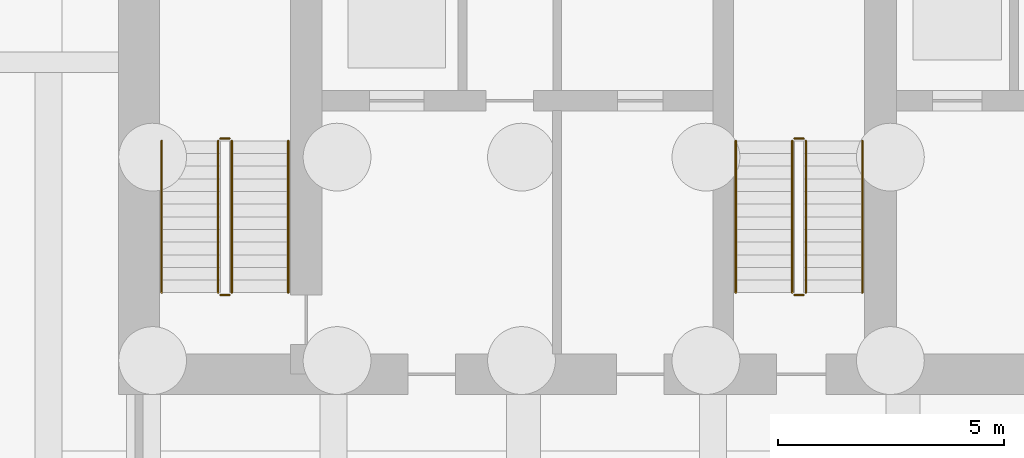
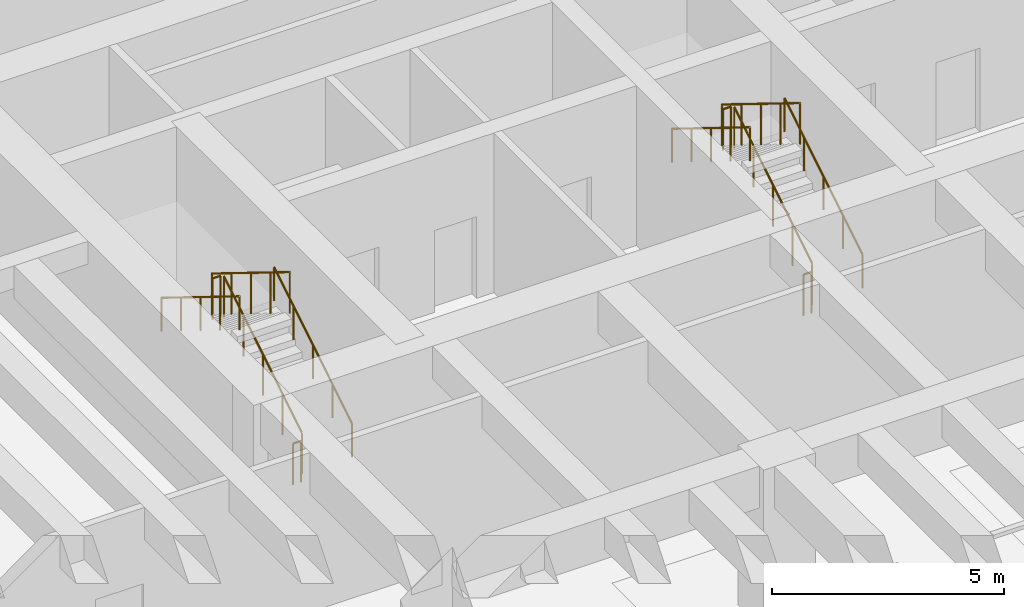
# One storey, part 8 of 10: 12 railings.
"""IFC4 building model written with IfcOpenShell, lengths in metres."""

from ifc_helpers import new_model, si_unit, direction, frame, origin, origin_2d, place, context, subcontext, project, spatial, circle, extrude, material, type_object, element, save


model = new_model("IFC4")

# Units and contexts
model_context = context("Model", 3, precision=1e-05, world=origin(), true_north=direction((0.0, 1.0)))
body_context = subcontext(model_context, "Body", "Model", "MODEL_VIEW")
ifc_project = project(units=[si_unit("LENGTHUNIT", "METRE"), si_unit("AREAUNIT", "SQUARE_METRE"), si_unit("VOLUMEUNIT", "CUBIC_METRE"), si_unit("PLANEANGLEUNIT", "RADIAN"), si_unit("MASSUNIT", "GRAM", prefix="KILO")], contexts=[model_context])

# Site, building, storey
site_placement = place(None, origin())
site = spatial("IfcSite", under=ifc_project, at=site_placement, CompositionType="ELEMENT")
building_placement = place(site_placement, origin())
building = spatial("IfcBuilding", under=site, at=building_placement, Name="Caelmar Bay Residences", CompositionType="ELEMENT")
storey_placement = place(building_placement, frame((0.0, 0.0, -9.0)))
storey = spatial("IfcBuildingStorey", under=building, at=storey_placement, Name="B02", CompositionType="ELEMENT", Elevation=-9.0)

# Railings
ifc_material_1 = material(Name="Painted galvanized steel stair guard 1100 mm", Category="steel")
railing_type_1 = type_object("IfcRailingType", Name="RL-GRD-1100", PredefinedType="GUARDRAIL", material=ifc_material_1)
railing_1_placement = place(storey_placement, frame((20.25, 38.699951171875, 0.173095703125)))
element("IfcRailing", 1, at=railing_1_placement, inside=storey, type_object=railing_type_1, Name="B02 ST1 stair guard 1", PredefinedType="GUARDRAIL", context=body_context, shape_type="SweptSolid", body=[
    extrude(circle(Radius=0.02392578125, at=origin_2d()), frame((0.0, 0.0, 1.076171875), z_axis=(0.0, 0.850623216509, 0.525775754039), x_axis=(-1.0, 0.0, 0.0)), (0.0, 0.0, 1.0), 3.9501953125),
    extrude(circle(Radius=0.02099609375, at=origin_2d()), origin(), (0.0, 0.0, 1.0), 1.052001953125),
    extrude(circle(Radius=0.02099609375, at=origin_2d()), frame((0.0, 0.840087890625, 0.519287109375)), (0.0, 0.0, 1.0), 1.052001953125),
    extrude(circle(Radius=0.02099609375, at=origin_2d()), frame((0.0, 1.68017578125, 1.03857421875)), (0.0, 0.0, 1.0), 1.052001953125),
    extrude(circle(Radius=0.02099609375, at=origin_2d()), frame((0.0, 2.52001953125, 1.5576171875)), (0.0, 0.0, 1.0), 1.052001953125),
    extrude(circle(Radius=0.02099609375, at=origin_2d()), frame((0.0, 3.360107421875, 2.076904296875)), (0.0, 0.0, 1.0), 1.052001953125),
])
railing_2_placement = place(storey_placement, frame((20.199951171875, 42.110107421875, 2.25)))
element("IfcRailing", 2, at=railing_2_placement, inside=storey, type_object=railing_type_1, Name="B02 ST1 stair guard 2", PredefinedType="GUARDRAIL", context=body_context, shape_type="SweptSolid", body=[
    extrude(circle(Radius=0.02392578125, at=origin_2d()), frame((0.0, 0.0, 1.076171875), z_axis=(-1.0, 0.0, 0.0), x_axis=(0.0, -1.0, 0.0)), (0.0, 0.0, 1.0), 0.199951171875),
    extrude(circle(Radius=0.02099609375, at=origin_2d()), origin(), (0.0, 0.0, 1.0), 1.052001953125),
    extrude(circle(Radius=0.02099609375, at=origin_2d()), frame((-0.199951171875, 0.0, 0.0)), (0.0, 0.0, 1.0), 1.052001953125),
])
railing_3_placement = place(storey_placement, frame((19.949951171875, 42.06005859375, 2.423095703125)))
element("IfcRailing", 3, at=railing_3_placement, inside=storey, type_object=railing_type_1, Name="B02 ST1 stair guard 3", PredefinedType="GUARDRAIL", context=body_context, shape_type="SweptSolid", body=[
    extrude(circle(Radius=0.02392578125, at=origin_2d()), frame((0.0, 0.0, 1.076171875), z_axis=(0.0, -0.850623216509, 0.525775754039), x_axis=(1.0, 0.0, 0.0)), (0.0, 0.0, 1.0), 3.9501953125),
    extrude(circle(Radius=0.02099609375, at=origin_2d()), origin(), (0.0, 0.0, 1.0), 1.052001953125),
    extrude(circle(Radius=0.02099609375, at=origin_2d()), frame((0.0, -0.840087890625, 0.519287109375)), (0.0, 0.0, 1.0), 1.052001953125),
    extrude(circle(Radius=0.02099609375, at=origin_2d()), frame((0.0, -1.68017578125, 1.03857421875)), (0.0, 0.0, 1.0), 1.052001953125),
    extrude(circle(Radius=0.02099609375, at=origin_2d()), frame((0.0, -2.52001953125, 1.5576171875)), (0.0, 0.0, 1.0), 1.052001953125),
    extrude(circle(Radius=0.02099609375, at=origin_2d()), frame((0.0, -3.360107421875, 2.076904296875)), (0.0, 0.0, 1.0), 1.052001953125),
])
railing_4_placement = place(storey_placement, frame((20.199951171875, 38.64990234375, 0.0)))
element("IfcRailing", 4, at=railing_4_placement, inside=storey, type_object=railing_type_1, Name="B02 ST1 stair guard 4", PredefinedType="GUARDRAIL", context=body_context, shape_type="SweptSolid", body=[
    extrude(circle(Radius=0.02392578125, at=origin_2d()), frame((0.0, 0.0, 1.076171875), z_axis=(-1.0, 0.0, 0.0), x_axis=(0.0, -1.0, 0.0)), (0.0, 0.0, 1.0), 0.199951171875),
    extrude(circle(Radius=0.02099609375, at=origin_2d()), origin(), (0.0, 0.0, 1.0), 1.052001953125),
    extrude(circle(Radius=0.02099609375, at=origin_2d()), frame((-0.199951171875, 0.0, 0.0)), (0.0, 0.0, 1.0), 1.052001953125),
])
railing_5_placement = place(storey_placement, frame((32.949951171875, 38.699951171875, 0.173095703125)))
element("IfcRailing", 5, at=railing_5_placement, inside=storey, type_object=railing_type_1, Name="B02 ST3 stair guard 1", PredefinedType="GUARDRAIL", context=body_context, shape_type="SweptSolid", body=[
    extrude(circle(Radius=0.02392578125, at=origin_2d()), frame((0.0, 0.0, 1.076171875), z_axis=(0.0, 0.850623216509, 0.525775754039), x_axis=(-1.0, 0.0, 0.0)), (0.0, 0.0, 1.0), 3.9501953125),
    extrude(circle(Radius=0.02099609375, at=origin_2d()), origin(), (0.0, 0.0, 1.0), 1.052001953125),
    extrude(circle(Radius=0.02099609375, at=origin_2d()), frame((0.0, 0.840087890625, 0.519287109375)), (0.0, 0.0, 1.0), 1.052001953125),
    extrude(circle(Radius=0.02099609375, at=origin_2d()), frame((0.0, 1.68017578125, 1.03857421875)), (0.0, 0.0, 1.0), 1.052001953125),
    extrude(circle(Radius=0.02099609375, at=origin_2d()), frame((0.0, 2.52001953125, 1.5576171875)), (0.0, 0.0, 1.0), 1.052001953125),
    extrude(circle(Radius=0.02099609375, at=origin_2d()), frame((0.0, 3.360107421875, 2.076904296875)), (0.0, 0.0, 1.0), 1.052001953125),
])
railing_6_placement = place(storey_placement, frame((32.89990234375, 42.110107421875, 2.25)))
element("IfcRailing", 6, at=railing_6_placement, inside=storey, type_object=railing_type_1, Name="B02 ST3 stair guard 2", PredefinedType="GUARDRAIL", context=body_context, shape_type="SweptSolid", body=[
    extrude(circle(Radius=0.02392578125, at=origin_2d()), frame((0.0, 0.0, 1.076171875), z_axis=(-1.0, 0.0, 0.0), x_axis=(0.0, -1.0, 0.0)), (0.0, 0.0, 1.0), 0.199951171875),
    extrude(circle(Radius=0.02099609375, at=origin_2d()), origin(), (0.0, 0.0, 1.0), 1.052001953125),
    extrude(circle(Radius=0.02099609375, at=origin_2d()), frame((-0.199951171875, 0.0, 0.0)), (0.0, 0.0, 1.0), 1.052001953125),
])
railing_7_placement = place(storey_placement, frame((32.64990234375, 42.06005859375, 2.423095703125)))
element("IfcRailing", 7, at=railing_7_placement, inside=storey, type_object=railing_type_1, Name="B02 ST3 stair guard 3", PredefinedType="GUARDRAIL", context=body_context, shape_type="SweptSolid", body=[
    extrude(circle(Radius=0.02392578125, at=origin_2d()), frame((0.0, 0.0, 1.076171875), z_axis=(0.0, -0.850623216509, 0.525775754039), x_axis=(1.0, 0.0, 0.0)), (0.0, 0.0, 1.0), 3.9501953125),
    extrude(circle(Radius=0.02099609375, at=origin_2d()), origin(), (0.0, 0.0, 1.0), 1.052001953125),
    extrude(circle(Radius=0.02099609375, at=origin_2d()), frame((0.0, -0.840087890625, 0.519287109375)), (0.0, 0.0, 1.0), 1.052001953125),
    extrude(circle(Radius=0.02099609375, at=origin_2d()), frame((0.0, -1.68017578125, 1.03857421875)), (0.0, 0.0, 1.0), 1.052001953125),
    extrude(circle(Radius=0.02099609375, at=origin_2d()), frame((0.0, -2.52001953125, 1.5576171875)), (0.0, 0.0, 1.0), 1.052001953125),
    extrude(circle(Radius=0.02099609375, at=origin_2d()), frame((0.0, -3.360107421875, 2.076904296875)), (0.0, 0.0, 1.0), 1.052001953125),
])
railing_8_placement = place(storey_placement, frame((32.89990234375, 38.64990234375, 0.0)))
element("IfcRailing", 8, at=railing_8_placement, inside=storey, type_object=railing_type_1, Name="B02 ST3 stair guard 4", PredefinedType="GUARDRAIL", context=body_context, shape_type="SweptSolid", body=[
    extrude(circle(Radius=0.02392578125, at=origin_2d()), frame((0.0, 0.0, 1.076171875), z_axis=(-1.0, 0.0, 0.0), x_axis=(0.0, -1.0, 0.0)), (0.0, 0.0, 1.0), 0.199951171875),
    extrude(circle(Radius=0.02099609375, at=origin_2d()), origin(), (0.0, 0.0, 1.0), 1.052001953125),
    extrude(circle(Radius=0.02099609375, at=origin_2d()), frame((-0.199951171875, 0.0, 0.0)), (0.0, 0.0, 1.0), 1.052001953125),
])
ifc_material_2 = material(Name="Brushed bronze stainless-steel tubular handrail 900 mm", Category="steel")
railing_type_2 = type_object("IfcRailingType", Name="RL-HND-900", PredefinedType="HANDRAIL", material=ifc_material_2)
railing_9_placement = place(storey_placement, frame((21.5, 38.699951171875, 0.173095703125)))
element("IfcRailing", 9, at=railing_9_placement, inside=storey, type_object=railing_type_2, Name="B02 ST1 stair handrail 1", PredefinedType="HANDRAIL", context=body_context, shape_type="SweptSolid", body=[
    extrude(circle(Radius=0.02392578125, at=origin_2d()), frame((0.0, 0.0, 0.8759765625), z_axis=(0.0, 0.850623216509, 0.525775754039), x_axis=(-1.0, 0.0, 0.0)), (0.0, 0.0, 1.0), 3.9501953125),
    extrude(circle(Radius=0.02099609375, at=origin_2d()), origin(), (0.0, 0.0, 1.0), 0.851806640625),
    extrude(circle(Radius=0.02099609375, at=origin_2d()), frame((0.0, 0.840087890625, 0.519287109375)), (0.0, 0.0, 1.0), 0.851806640625),
    extrude(circle(Radius=0.02099609375, at=origin_2d()), frame((0.0, 1.68017578125, 1.03857421875)), (0.0, 0.0, 1.0), 0.851806640625),
    extrude(circle(Radius=0.02099609375, at=origin_2d()), frame((0.0, 2.52001953125, 1.5576171875)), (0.0, 0.0, 1.0), 0.851806640625),
    extrude(circle(Radius=0.02099609375, at=origin_2d()), frame((0.0, 3.360107421875, 2.076904296875)), (0.0, 0.0, 1.0), 0.851806640625),
])
railing_10_placement = place(storey_placement, frame((18.699951171875, 42.06005859375, 2.423095703125)))
element("IfcRailing", 10, at=railing_10_placement, inside=storey, type_object=railing_type_2, Name="B02 ST1 stair handrail 2", PredefinedType="HANDRAIL", context=body_context, shape_type="SweptSolid", body=[
    extrude(circle(Radius=0.02392578125, at=origin_2d()), frame((0.0, 0.0, 0.8759765625), z_axis=(0.0, -0.850623216509, 0.525775754039), x_axis=(1.0, 0.0, 0.0)), (0.0, 0.0, 1.0), 3.9501953125),
    extrude(circle(Radius=0.02099609375, at=origin_2d()), origin(), (0.0, 0.0, 1.0), 0.851806640625),
    extrude(circle(Radius=0.02099609375, at=origin_2d()), frame((0.0, -0.840087890625, 0.519287109375)), (0.0, 0.0, 1.0), 0.851806640625),
    extrude(circle(Radius=0.02099609375, at=origin_2d()), frame((0.0, -1.68017578125, 1.03857421875)), (0.0, 0.0, 1.0), 0.851806640625),
    extrude(circle(Radius=0.02099609375, at=origin_2d()), frame((0.0, -2.52001953125, 1.5576171875)), (0.0, 0.0, 1.0), 0.851806640625),
    extrude(circle(Radius=0.02099609375, at=origin_2d()), frame((0.0, -3.360107421875, 2.076904296875)), (0.0, 0.0, 1.0), 0.851806640625),
])
railing_11_placement = place(storey_placement, frame((34.199951171875, 38.699951171875, 0.173095703125)))
element("IfcRailing", 11, at=railing_11_placement, inside=storey, type_object=railing_type_2, Name="B02 ST3 stair handrail 1", PredefinedType="HANDRAIL", context=body_context, shape_type="SweptSolid", body=[
    extrude(circle(Radius=0.02392578125, at=origin_2d()), frame((0.0, 0.0, 0.8759765625), z_axis=(0.0, 0.850623216509, 0.525775754039), x_axis=(-1.0, 0.0, 0.0)), (0.0, 0.0, 1.0), 3.9501953125),
    extrude(circle(Radius=0.02099609375, at=origin_2d()), origin(), (0.0, 0.0, 1.0), 0.851806640625),
    extrude(circle(Radius=0.02099609375, at=origin_2d()), frame((0.0, 0.840087890625, 0.519287109375)), (0.0, 0.0, 1.0), 0.851806640625),
    extrude(circle(Radius=0.02099609375, at=origin_2d()), frame((0.0, 1.68017578125, 1.03857421875)), (0.0, 0.0, 1.0), 0.851806640625),
    extrude(circle(Radius=0.02099609375, at=origin_2d()), frame((0.0, 2.52001953125, 1.5576171875)), (0.0, 0.0, 1.0), 0.851806640625),
    extrude(circle(Radius=0.02099609375, at=origin_2d()), frame((0.0, 3.360107421875, 2.076904296875)), (0.0, 0.0, 1.0), 0.851806640625),
])
railing_12_placement = place(storey_placement, frame((31.39990234375, 42.06005859375, 2.423095703125)))
element("IfcRailing", 12, at=railing_12_placement, inside=storey, type_object=railing_type_2, Name="B02 ST3 stair handrail 2", PredefinedType="HANDRAIL", context=body_context, shape_type="SweptSolid", body=[
    extrude(circle(Radius=0.02392578125, at=origin_2d()), frame((0.0, 0.0, 0.8759765625), z_axis=(0.0, -0.850623216509, 0.525775754039), x_axis=(1.0, 0.0, 0.0)), (0.0, 0.0, 1.0), 3.9501953125),
    extrude(circle(Radius=0.02099609375, at=origin_2d()), origin(), (0.0, 0.0, 1.0), 0.851806640625),
    extrude(circle(Radius=0.02099609375, at=origin_2d()), frame((0.0, -0.840087890625, 0.519287109375)), (0.0, 0.0, 1.0), 0.851806640625),
    extrude(circle(Radius=0.02099609375, at=origin_2d()), frame((0.0, -1.68017578125, 1.03857421875)), (0.0, 0.0, 1.0), 0.851806640625),
    extrude(circle(Radius=0.02099609375, at=origin_2d()), frame((0.0, -2.52001953125, 1.5576171875)), (0.0, 0.0, 1.0), 0.851806640625),
    extrude(circle(Radius=0.02099609375, at=origin_2d()), frame((0.0, -3.360107421875, 2.076904296875)), (0.0, 0.0, 1.0), 0.851806640625),
])

save(model, "model.ifc")
